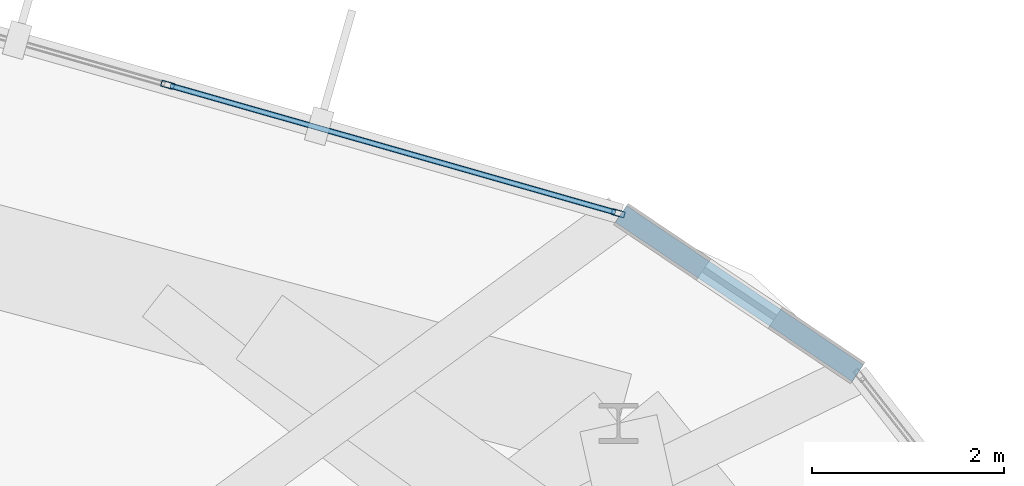
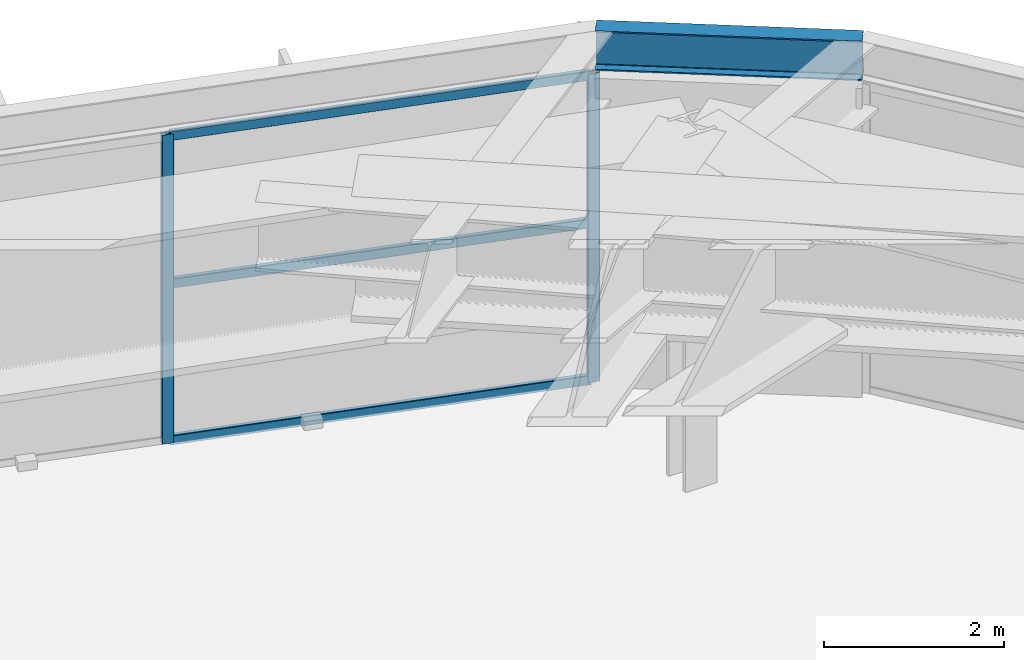
# One storey, part 21 of 30: 5 members, 1 beam, 1 element without a shape of its own.
"""IFC4 building model written with IfcOpenShell, lengths in metres."""

from ifc_helpers import new_model, si_unit, direction, frame, origin, origin_2d, place, context, subcontext, project, spatial, hollow_rectangle, i_section, extrude, material, layer, layer_set, material_profile, profile_set, type_object, element, aggregate, save


model = new_model("IFC4")

# Units and contexts
model_context = context("Model", 3, precision=1e-05, world=origin(), true_north=direction((0.0, 1.0)))
body_context = subcontext(model_context, "Body", "Model", "MODEL_VIEW")
ifc_project = project(units=[si_unit("LENGTHUNIT", "METRE"), si_unit("AREAUNIT", "SQUARE_METRE"), si_unit("VOLUMEUNIT", "CUBIC_METRE"), si_unit("PLANEANGLEUNIT", "RADIAN"), si_unit("MASSUNIT", "GRAM", prefix="KILO")], contexts=[model_context])

# Site, building, storey
site_placement = place(None, origin())
site = spatial("IfcSite", under=ifc_project, at=site_placement, CompositionType="ELEMENT")
building_placement = place(site_placement, origin())
building = spatial("IfcBuilding", under=site, at=building_placement, Name="Soratama Intermodal Tower", CompositionType="ELEMENT")
storey_placement = place(building_placement, frame((0.0, 0.0, 237.39990234375)))
storey = spatial("IfcBuildingStorey", under=building, at=storey_placement, Name="L60", CompositionType="ELEMENT", Elevation=237.39990234375)

# Beam
ifc_material_1 = material(Name="Structural steel ASTM A992 Grade 50", Category="steel")
ifc_material_profile_1 = material_profile(ifc_material_1, i_section(OverallWidth=0.2099609375, OverallDepth=0.537109375, WebThickness=0.010986328125, FlangeThickness=0.017333984375, FilletRadius=0.012939453125, at=origin_2d()), Name="W21X68")
ifc_profile_set_1 = profile_set([ifc_material_profile_1], Name="Structural steel ASTM A992 Grade 50")
beam_type = type_object("IfcBeamType", Name="BM-SPN-W21X68", PredefinedType="SPANDREL", material=ifc_profile_set_1)
beam_placement = place(storey_placement, frame((57.618896484375, 41.1201171875, 4.531494140625), z_axis=(-0.829942431486, 0.557849048058, 0.0), x_axis=(-0.557849048058, -0.829942431486, 0.0)))
element("IfcBeam", 1, at=beam_placement, inside=storey, type_object=beam_type, Name="BS-L60-CRN10", PredefinedType="SPANDREL", context=body_context, shape_type="SweptSolid", body=[
    extrude(i_section(OverallWidth=0.2099609375, OverallDepth=0.537109375, WebThickness=0.010986328125, FlangeThickness=0.017333984375, FilletRadius=0.012939453125, at=origin_2d()), origin(), (0.0, 0.0, 1.0), 2.96630859375),
])

# Curtain wall, members
ifc_material_2 = material(Name="Double-glazed aluminium curtain wall", Category="aluminium")
ifc_layer = layer(ifc_material_2, 0.159912109375)
ifc_layer_set = layer_set([ifc_layer], Name="Double-glazed aluminium curtain wall")
curtain_wall_type = type_object("IfcCurtainWallType", Name="CW-SYS-5", PredefinedType="NOTDEFINED", material=ifc_layer_set)
curtain_wall_placement = place(storey_placement, origin())
curtain_wall = element("IfcCurtainWall", 2, at=curtain_wall_placement, inside=storey, type_object=curtain_wall_type, Name="L60 Faceted Curtain Wall F01", PredefinedType="NOTDEFINED")
ifc_material_3 = material(Name="Anodised aluminium AA 6063-T6", Category="aluminium")
ifc_material_profile_2 = material_profile(ifc_material_3, hollow_rectangle(XDim=0.06494140625, YDim=0.139892578125, WallThickness=0.0048828125, InnerFilletRadius=0.0048828125, OuterFilletRadius=0.010009765625, at=origin_2d()), Name="CWM140X65X5")
ifc_profile_set_2 = profile_set([ifc_material_profile_2], Name="Anodised aluminium AA 6063-T6")
member_type_1 = type_object("IfcMemberType", Name="MT-CWM-5", PredefinedType="MULLION", material=ifc_profile_set_2)
member_1_placement = place(storey_placement, frame((55.1279296875, 42.78271484375, 0.0), z_axis=(0.0, 0.0, 1.0), x_axis=(-0.273963449119, -0.96174010447, 0.0)))
member_1 = element("IfcMember", 3, at=member_1_placement, type_object=member_type_1, Name="CW-5 mullion 1", PredefinedType="MULLION", context=body_context, shape_type="SweptSolid", body=[
    extrude(hollow_rectangle(XDim=0.06494140625, YDim=0.139892578125, WallThickness=0.0048828125, InnerFilletRadius=0.0048828125, OuterFilletRadius=0.010009765625, at=origin_2d()), origin(), (0.0, 0.0, 1.0), 4.17919921875),
])
member_2_placement = place(storey_placement, frame((50.445556640625, 44.11669921875, 0.0), z_axis=(0.0, 0.0, 1.0), x_axis=(-0.273963449119, -0.96174010447, 0.0)))
member_2 = element("IfcMember", 4, at=member_2_placement, type_object=member_type_1, Name="CW-5 mullion 2", PredefinedType="MULLION", context=body_context, shape_type="SweptSolid", body=[
    extrude(hollow_rectangle(XDim=0.06494140625, YDim=0.139892578125, WallThickness=0.0048828125, InnerFilletRadius=0.0048828125, OuterFilletRadius=0.010009765625, at=origin_2d()), origin(), (0.0, 0.0, 1.0), 4.17919921875),
])
ifc_material_4 = material(Name="Anodised aluminium AA 6063-T6", Category="aluminium")
ifc_material_profile_3 = material_profile(ifc_material_4, hollow_rectangle(XDim=0.06005859375, YDim=0.1298828125, WallThickness=0.0048828125, InnerFilletRadius=0.0048828125, OuterFilletRadius=0.010009765625, at=origin_2d()), Name="CWT130X60X5")
ifc_profile_set_3 = profile_set([ifc_material_profile_3], Name="Anodised aluminium AA 6063-T6")
member_type_2 = type_object("IfcMemberType", Name="TT-CWT-2", PredefinedType="USERDEFINED", material=ifc_profile_set_3)
member_3_placement = place(storey_placement, frame((55.09912109375, 42.791015625, 0.030029296875), z_axis=(-0.961742051916, 0.273956612582, 0.0), x_axis=(-0.273956612582, -0.961742051916, 0.0)))
member_3 = element("IfcMember", 5, at=member_3_placement, type_object=member_type_2, Name="CW-5 transom 1.1", ObjectType="TRANSOM", PredefinedType="USERDEFINED", context=body_context, shape_type="SweptSolid", body=[
    extrude(hollow_rectangle(XDim=0.06005859375, YDim=0.1298828125, WallThickness=0.0048828125, InnerFilletRadius=0.0048828125, OuterFilletRadius=0.010009765625, at=origin_2d()), origin(), (0.0, 0.0, 1.0), 4.808837890625),
])
member_4_placement = place(storey_placement, frame((55.09912109375, 42.791015625, 2.150146484375), z_axis=(-0.961742051916, 0.273956612582, 0.0), x_axis=(-0.273956612582, -0.961742051916, 0.0)))
member_4 = element("IfcMember", 6, at=member_4_placement, type_object=member_type_2, Name="CW-5 transom 1.2", ObjectType="TRANSOM", PredefinedType="USERDEFINED", context=body_context, shape_type="SweptSolid", body=[
    extrude(hollow_rectangle(XDim=0.06005859375, YDim=0.1298828125, WallThickness=0.0048828125, InnerFilletRadius=0.0048828125, OuterFilletRadius=0.010009765625, at=origin_2d()), origin(), (0.0, 0.0, 1.0), 4.808837890625),
])
member_5_placement = place(storey_placement, frame((55.09912109375, 42.791015625, 4.149169921875), z_axis=(-0.961742051916, 0.273956612582, 0.0), x_axis=(-0.273956612582, -0.961742051916, 0.0)))
member_5 = element("IfcMember", 7, at=member_5_placement, type_object=member_type_2, Name="CW-5 transom 1.3", ObjectType="TRANSOM", PredefinedType="USERDEFINED", context=body_context, shape_type="SweptSolid", body=[
    extrude(hollow_rectangle(XDim=0.06005859375, YDim=0.1298828125, WallThickness=0.0048828125, InnerFilletRadius=0.0048828125, OuterFilletRadius=0.010009765625, at=origin_2d()), origin(), (0.0, 0.0, 1.0), 4.808837890625),
])
aggregate(curtain_wall, [member_1, member_2, member_3, member_4, member_5])

save(model, "model.ifc")
